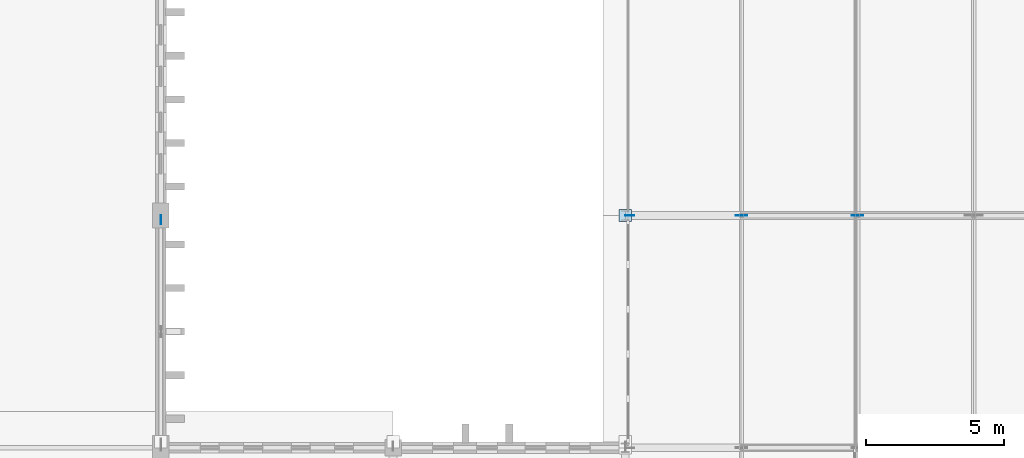
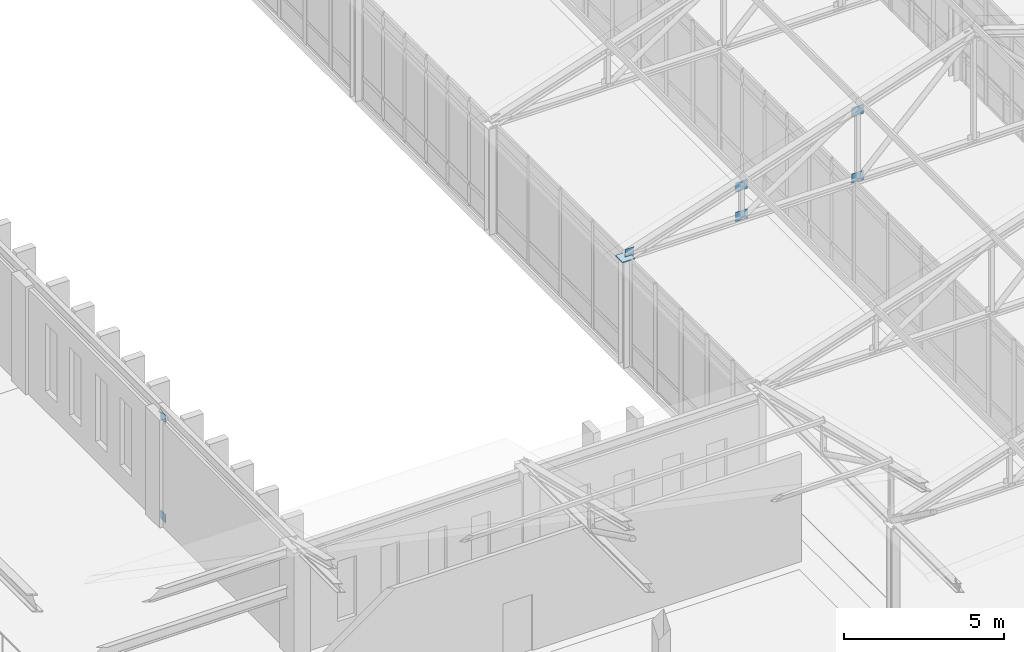
# One storey, part 142 of 192: 8 plates.
"""IFC4 building model written with IfcOpenShell, lengths in metres."""

from ifc_helpers import new_model, si_unit, direction, frame, origin, origin_2d, place, context, subcontext, project, spatial, rectangle, extrude, material, layer, layer_set, type_object, element, save


model = new_model("IFC4")

# Units and contexts
model_context = context("Model", 3, precision=1e-05, world=origin(), true_north=direction((0.0, 1.0)))
body_context = subcontext(model_context, "Body", "Model", "MODEL_VIEW")
ifc_project = project(units=[si_unit("LENGTHUNIT", "METRE"), si_unit("AREAUNIT", "SQUARE_METRE"), si_unit("VOLUMEUNIT", "CUBIC_METRE"), si_unit("PLANEANGLEUNIT", "RADIAN"), si_unit("MASSUNIT", "GRAM", prefix="KILO")], contexts=[model_context])

# Site, building, storey
site_placement = place(None, origin())
site = spatial("IfcSite", under=ifc_project, at=site_placement, CompositionType="ELEMENT")
building_placement = place(site_placement, origin())
building = spatial("IfcBuilding", under=site, at=building_placement, Name="Kveldsbrygga Polytechnic", CompositionType="ELEMENT")
storey_placement = place(building_placement, frame((0.0, 0.0, 5.43994140625)))
storey = spatial("IfcBuildingStorey", under=building, at=storey_placement, Name="L01", CompositionType="ELEMENT", Elevation=5.43994140625)

# Plates
ifc_material = material(Name="Steel S355", Category="steel")
ifc_layer_1 = layer(ifc_material, 0.030029296875)
ifc_layer_set_1 = layer_set([ifc_layer_1], Name="Steel S355")
plate_type_1 = type_object("IfcPlateType", Name="CAP-BEAR-450", PredefinedType="SHEET", material=ifc_layer_set_1)
plate_1_placement = place(storey_placement, frame((50.39990234375, 33.60009765625, 4.08984375), z_axis=(0.0, 0.0, 1.0), x_axis=(1.0, 0.0, 0.0)))
element("IfcPlate", 1, at=plate_1_placement, inside=storey, type_object=plate_type_1, Name="Truss Bearing Plate V5C-T04-A", PredefinedType="SHEET", context=body_context, shape_type="SweptSolid", body=[
    extrude(rectangle(XDim=0.449951171875, YDim=0.449951171875, at=origin_2d()), origin(), (0.0, 0.0, 1.0), 0.030029296875),
])
ifc_layer_2 = layer(ifc_material, 0.01806640625)
ifc_layer_set_2 = layer_set([ifc_layer_2], Name="Steel S355")
plate_type_2 = type_object("IfcPlateType", Name="GUS-BRACE-320", PredefinedType="SHEET", material=ifc_layer_set_2)
plate_2_placement = place(storey_placement, frame((50.56005859375, 33.60009765625, 4.080078125), z_axis=(0.0, 0.0, 1.0), x_axis=(1.0, 0.0, 0.0)))
element("IfcPlate", 2, at=plate_2_placement, inside=storey, type_object=plate_type_2, Name="Truss Eaves Node Gusset V5C-T04-EGP-A", PredefinedType="SHEET", context=body_context, shape_type="SweptSolid", body=[
    extrude(rectangle(XDim=0.320068359375, YDim=0.01806640625, at=origin_2d()), origin(), (0.0, 0.0, 1.0), 0.320068359375),
])
for number, where, z_axis, x_axis, name in (
    (3, (33.60009765625, 33.43994140625, 3.7998046875), (0.0, 0.0, 1.0), (1.0, 0.0, 0.0), "Portal Brace End Gusset XGP-VBR-L01-E-3-2"),
    (4, (33.60009765625, 33.43994140625, 0.0), (0.0, 0.0, 1.0), (1.0, 0.0, 0.0), "Portal Brace End Gusset XGP-VBR-L01-E-3-3"),
):
    element("IfcPlate", number, at=place(storey_placement, frame(where, z_axis=z_axis, x_axis=x_axis)), inside=storey, type_object=plate_type_2, Name=name, PredefinedType="SHEET", context=body_context, shape_type="SweptSolid", body=[
        extrude(rectangle(XDim=0.01806640625, YDim=0.320068359375, at=origin_2d()), origin(), (0.0, 0.0, 1.0), 0.320068359375),
    ])
ifc_layer_3 = layer(ifc_material, 0.02001953125)
ifc_layer_set_3 = layer_set([ifc_layer_3], Name="Steel S355")
plate_type_3 = type_object("IfcPlateType", Name="GUS-LECT-420", PredefinedType="SHEET", material=ifc_layer_set_3)
for number, where, z_axis, x_axis, name in (
    (5, (54.60009765625, 33.60009765625, 5.195068359375), (0.0, 0.0, 1.0), (1.0, 0.0, 0.0), "Truss Gusset Plate V5C-T04-GP-1"),
    (6, (54.60009765625, 33.60009765625, 4.06494140625), (0.0, 0.0, 1.0), (1.0, 0.0, 0.0), "Truss Bottom-Chord Node Gusset V5C-T04-BGP-1"),
    (7, (58.800048828125, 33.60009765625, 6.594970703125), (0.0, 0.0, 1.0), (1.0, 0.0, 0.0), "Truss Gusset Plate V5C-T04-GP-2"),
    (8, (58.800048828125, 33.60009765625, 4.06494140625), (0.0, 0.0, 1.0), (1.0, 0.0, 0.0), "Truss Bottom-Chord Node Gusset V5C-T04-BGP-2"),
):
    element("IfcPlate", number, at=place(storey_placement, frame(where, z_axis=z_axis, x_axis=x_axis)), inside=storey, type_object=plate_type_3, Name=name, PredefinedType="SHEET", context=body_context, shape_type="SweptSolid", body=[
        extrude(rectangle(XDim=0.419921875, YDim=0.02001953125, at=origin_2d()), origin(), (0.0, 0.0, 1.0), 0.35009765625),
    ])

save(model, "model.ifc")
